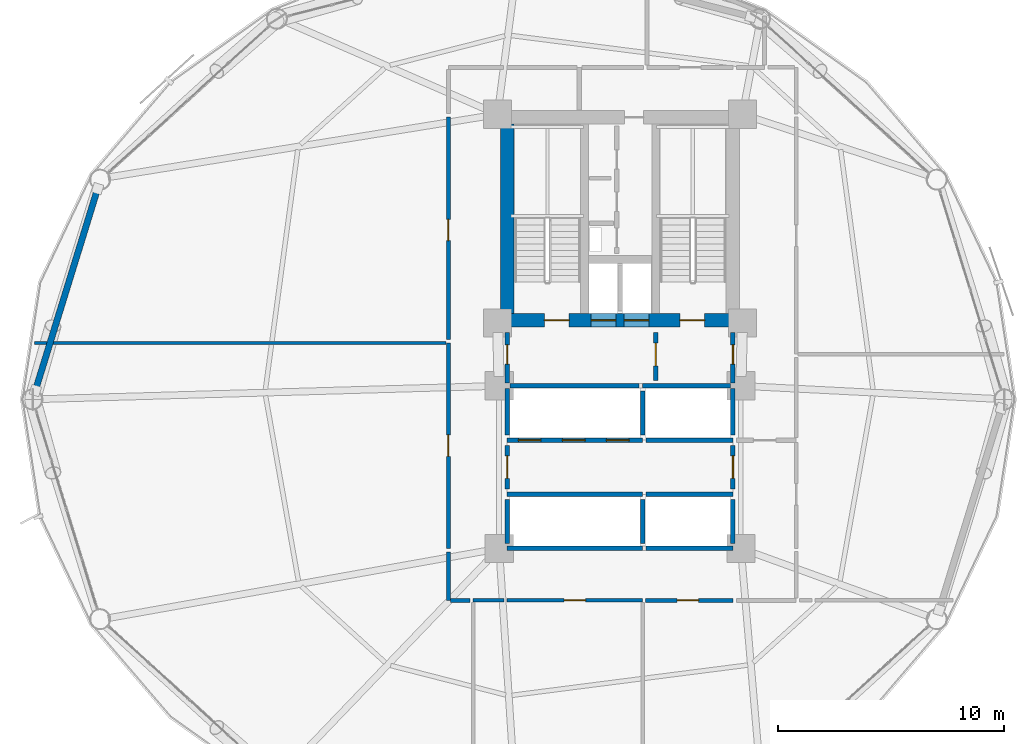
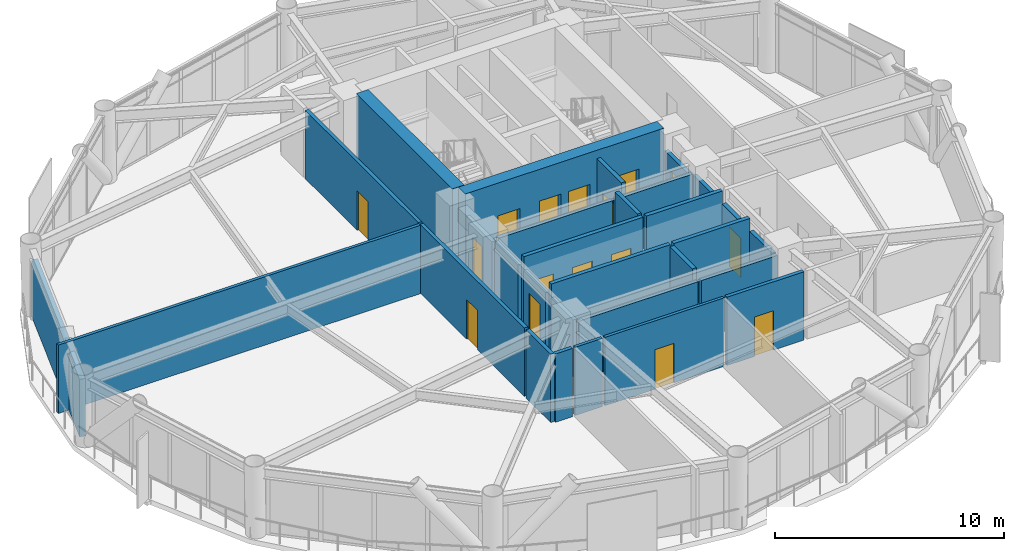
# One storey, part 20 of 25: 30 walls, 16 doors, 16 openings.
"""IFC4 building model written with IfcOpenShell, lengths in metres."""

from ifc_helpers import new_model, si_unit, direction, frame, frame_2d, origin, place, context, subcontext, project, spatial, rectangle, extrude, material, layer, layer_set, type_object, element, fill, save


model = new_model("IFC4")

# Units and contexts
model_context = context("Model", 3, precision=1e-05, world=origin(), true_north=direction((0.0, 1.0)))
body_context = subcontext(model_context, "Body", "Model", "MODEL_VIEW")
ifc_project = project(units=[si_unit("LENGTHUNIT", "METRE"), si_unit("AREAUNIT", "SQUARE_METRE"), si_unit("VOLUMEUNIT", "CUBIC_METRE"), si_unit("PLANEANGLEUNIT", "RADIAN"), si_unit("MASSUNIT", "GRAM", prefix="KILO")], contexts=[model_context])

# Site, building, storey
site_placement = place(None, origin())
site = spatial("IfcSite", under=ifc_project, at=site_placement, CompositionType="ELEMENT")
building_placement = place(site_placement, origin())
building = spatial("IfcBuilding", under=site, at=building_placement, Name="Varnakorn Sky Granary", CompositionType="ELEMENT")
storey_placement = place(building_placement, frame((0.0, 0.0, 62.699951171875)))
storey = spatial("IfcBuildingStorey", under=building, at=storey_placement, Name="L15", CompositionType="ELEMENT", Elevation=62.699951171875)

# Wall, openings, doors
ifc_material_1 = material(Name="Concrete C60/75", Category="concrete")
ifc_layer_1 = layer(ifc_material_1, 0.60009765625, Name="Concrete C60/75")
ifc_layer_set_1 = layer_set([ifc_layer_1], Name="Concrete C60/75")
wall_type_1 = type_object("IfcWallType", Name="WT-CW-SHEAR-600", PredefinedType="SHEAR", material=ifc_layer_set_1)
wall_1_placement = place(storey_placement, frame((-2.0, 3.5, 0.0), z_axis=(0.0, 0.0, 1.0), x_axis=(1.0, 0.0, 0.0)))
wall_1 = element("IfcWall", 1, at=wall_1_placement, inside=storey, type_object=wall_type_1, Name="Core South Shear Wall L15", PredefinedType="SHEAR", context=body_context, shape_type="SweptSolid", body=[
    extrude(rectangle(XDim=10.0, YDim=0.60009765625, at=frame_2d((5.0, 0.0))), origin(), (0.0, 0.0, 1.0), 3.89208984375),
])
opening_1_placement = place(wall_1_placement, frame((1.64990234375, 0.0, 0.0)))
opening_1 = element("IfcOpeningElement", 2, at=opening_1_placement, cuts=wall_1, Name="Opening FD-90", PredefinedType="OPENING", context=body_context, shape_type="SweptSolid", body=[
    extrude(rectangle(XDim=1.10009765625, YDim=2.14990234375, at=frame_2d((0.550048828125, 1.074951171875))), frame((0.0, 0.31005859375, 0.0), z_axis=(0.0, -1.0, 0.0), x_axis=(1.0, 0.0, 0.0)), (0.0, 0.0, 1.0), 0.6201171875),
])
opening_2_placement = place(wall_1_placement, frame((7.64990234375, 0.0, 0.0)))
opening_2 = element("IfcOpeningElement", 3, at=opening_2_placement, cuts=wall_1, Name="Opening FD-90", PredefinedType="OPENING", context=body_context, shape_type="SweptSolid", body=[
    extrude(rectangle(XDim=1.10009765625, YDim=2.14990234375, at=frame_2d((0.550048828125, 1.074951171875))), frame((0.0, 0.31005859375, 0.0), z_axis=(0.0, -1.0, 0.0), x_axis=(1.0, 0.0, 0.0)), (0.0, 0.0, 1.0), 0.6201171875),
])
opening_3_placement = place(wall_1_placement, frame((3.719970703125, 0.0, 0.0)))
opening_3 = element("IfcOpeningElement", 4, at=opening_3_placement, cuts=wall_1, Name="Opening LD-01", PredefinedType="OPENING", context=body_context, shape_type="SweptSolid", body=[
    extrude(rectangle(XDim=1.10009765625, YDim=2.199951171875, at=frame_2d((0.550048828125, 1.10009765625))), frame((0.0, 0.31005859375, 0.0), z_axis=(0.0, -1.0, 0.0), x_axis=(1.0, 0.0, 0.0)), (0.0, 0.0, 1.0), 0.6201171875),
])
opening_4_placement = place(wall_1_placement, frame((5.179931640625, 0.0, 0.0)))
opening_4 = element("IfcOpeningElement", 5, at=opening_4_placement, cuts=wall_1, Name="Opening LD-01", PredefinedType="OPENING", context=body_context, shape_type="SweptSolid", body=[
    extrude(rectangle(XDim=1.10009765625, YDim=2.199951171875, at=frame_2d((0.550048828125, 1.10009765625))), frame((0.0, 0.31005859375, 0.0), z_axis=(0.0, -1.0, 0.0), x_axis=(1.0, 0.0, 0.0)), (0.0, 0.0, 1.0), 0.6201171875),
])
ifc_material_2 = material(Name="Brushed Bronze Stainless Steel", Category="steel")
door_type_1 = type_object("IfcDoorType", Name="DR-LD-1100", OperationType="DOUBLE_DOOR_SLIDING", PredefinedType="DOOR", material=ifc_material_2)
door_1_placement = place(opening_3_placement, origin())
door_1 = element("IfcDoor", 6, at=door_1_placement, inside=storey, type_object=door_type_1, Name="Firefighting Lift FFL-1 Landing Door L15", OperationType="DOUBLE_DOOR_SLIDING", OverallHeight=2.199951171875, OverallWidth=1.10009765625, PredefinedType="DOOR", context=body_context, shape_type="SweptSolid", body=[
    extrude(rectangle(XDim=1.10009765625, YDim=2.199951171875, at=frame_2d((0.550048828125, 1.10009765625))), frame((0.0, 0.02490234375, 0.0), z_axis=(0.0, -1.0, 0.0), x_axis=(1.0, 0.0, 0.0)), (0.0, 0.0, 1.0), 0.050048828125),
])
fill(opening_3, door_1)
door_2_placement = place(opening_4_placement, origin())
door_2 = element("IfcDoor", 7, at=door_2_placement, inside=storey, type_object=door_type_1, Name="Firefighting Lift FFL-2 Landing Door L15", OperationType="DOUBLE_DOOR_SLIDING", OverallHeight=2.199951171875, OverallWidth=1.10009765625, PredefinedType="DOOR", context=body_context, shape_type="SweptSolid", body=[
    extrude(rectangle(XDim=1.10009765625, YDim=2.199951171875, at=frame_2d((0.550048828125, 1.10009765625))), frame((0.0, 0.02490234375, 0.0), z_axis=(0.0, -1.0, 0.0), x_axis=(1.0, 0.0, 0.0)), (0.0, 0.0, 1.0), 0.050048828125),
])
fill(opening_4, door_2)
ifc_material_3 = material(Name="Galvanised Painted Steel Leaf", Category="steel")
door_type_2 = type_object("IfcDoorType", Name="DR-STAIR-1100", OperationType="NOTDEFINED", PredefinedType="DOOR", material=ifc_material_3)
door_3_placement = place(opening_1_placement, origin())
door_3 = element("IfcDoor", 8, at=door_3_placement, inside=storey, type_object=door_type_2, Name="Stair ST-1 Protected Fire Door L15", OperationType="SINGLE_SWING_LEFT", OverallHeight=2.14990234375, OverallWidth=1.10009765625, PredefinedType="DOOR", context=body_context, shape_type="SweptSolid", body=[
    extrude(rectangle(XDim=1.10009765625, YDim=2.14990234375, at=frame_2d((0.550048828125, 1.074951171875))), frame((0.0, 0.02490234375, 0.0), z_axis=(0.0, -1.0, 0.0), x_axis=(1.0, 0.0, 0.0)), (0.0, 0.0, 1.0), 0.050048828125),
])
fill(opening_1, door_3)
door_4_placement = place(opening_2_placement, origin())
door_4 = element("IfcDoor", 9, at=door_4_placement, inside=storey, type_object=door_type_2, Name="Stair ST-2 Protected Fire Door L15", OperationType="SINGLE_SWING_RIGHT", OverallHeight=2.14990234375, OverallWidth=1.10009765625, PredefinedType="DOOR", context=body_context, shape_type="SweptSolid", body=[
    extrude(rectangle(XDim=1.10009765625, YDim=2.14990234375, at=frame_2d((0.550048828125, 1.074951171875))), frame((0.0, 0.02490234375, 0.0), z_axis=(0.0, -1.0, 0.0), x_axis=(1.0, 0.0, 0.0)), (0.0, 0.0, 1.0), 0.050048828125),
])
fill(opening_2, door_4)

# Walls
wall_2_placement = place(storey_placement, frame((-2.0, 3.81005859375, 0.0), z_axis=(0.0, 0.0, 1.0), x_axis=(0.0, 1.0, 0.0)))
element("IfcWall", 10, at=wall_2_placement, inside=storey, type_object=wall_type_1, Name="Core West Shear Wall L15", PredefinedType="SHEAR", context=body_context, shape_type="SweptSolid", body=[
    extrude(rectangle(XDim=8.3798828125, YDim=0.60009765625, at=frame_2d((4.18994140625, 0.0))), origin(), (0.0, 0.0, 1.0), 3.89208984375),
])
ifc_material_4 = material(Name="Precast concrete C40/50", Category="concrete")
ifc_layer_2 = layer(ifc_material_4, 0.280029296875, Name="Precast concrete C40/50")
ifc_layer_set_2 = layer_set([ifc_layer_2], Name="Precast concrete C40/50")
wall_type_2 = type_object("IfcWallType", Name="WT-EW-CRN-280", PredefinedType="SOLIDWALL", material=ifc_layer_set_2)
wall_3_placement = place(storey_placement, frame((-22.884521484375, 0.393798828125, 0.0), z_axis=(0.0, 0.0, 1.0), x_axis=(0.294639825204, 0.95560837868, 0.0)))
element("IfcWall", 11, at=wall_3_placement, inside=storey, type_object=wall_type_2, Name="Agritech Insulated Precast Facade Wall L15-P06", PredefinedType="SOLIDWALL", context=body_context, shape_type="SweptSolid", body=[
    extrude(rectangle(XDim=9.3515625, YDim=0.280029296875, at=frame_2d((4.67578125, 0.0))), origin(), (0.0, 0.0, 1.0), 3.06005859375),
])

# Wall, opening, door
ifc_material_5 = material(Name="Autoclaved Aerated Concrete Blockwork", Category="masonry")
ifc_layer_3 = layer(ifc_material_5, 0.199951171875, Name="Autoclaved Aerated Concrete Blockwork")
ifc_layer_set_3 = layer_set([ifc_layer_3], Name="Autoclaved Aerated Concrete Blockwork")
wall_type_3 = type_object("IfcWallType", Name="WT-FIRE-200", PredefinedType="MOVABLE", material=ifc_layer_set_3)
wall_4_placement = place(storey_placement, frame((4.580078125, 0.830078125, 0.0), z_axis=(0.0, 0.0, 1.0), x_axis=(0.0, 1.0, 0.0)))
wall_4 = element("IfcWall", 12, at=wall_4_placement, inside=storey, type_object=wall_type_3, Name="Interior Partition Wall L15-017", PredefinedType="MOVABLE", context=body_context, shape_type="SweptSolid", body=[
    extrude(rectangle(XDim=2.139892578125, YDim=0.199951171875, at=frame_2d((1.06982421875, 0.0))), origin(), (0.0, 0.0, 1.0), 3.64013671875),
])
opening_5_placement = place(wall_4_placement, frame((0.659912109375, 0.0, 0.0)))
opening_5 = element("IfcOpeningElement", 13, at=opening_5_placement, cuts=wall_4, Name="Opening FD-60", PredefinedType="OPENING", context=body_context, shape_type="SweptSolid", body=[
    extrude(rectangle(XDim=1.0, YDim=2.10009765625, at=frame_2d((0.5, 1.050048828125))), frame((0.0, 0.10986328125, 0.0), z_axis=(0.0, -1.0, 0.0), x_axis=(1.0, 0.0, 0.0)), (0.0, 0.0, 1.0), 0.219970703125),
])
ifc_material_6 = material(Name="Acoustic Timber Fire Leaf", Category="wood")
door_type_3 = type_object("IfcDoorType", Name="DR-FD60-1000", OperationType="NOTDEFINED", PredefinedType="DOOR", material=ifc_material_6)
door_5_placement = place(opening_5_placement, origin())
door_5 = element("IfcDoor", 14, at=door_5_placement, inside=storey, type_object=door_type_3, Name="Interior Door L15-017-1", OperationType="SINGLE_SWING_LEFT", OverallHeight=2.10009765625, OverallWidth=1.0, PredefinedType="DOOR", context=body_context, shape_type="SweptSolid", body=[
    extrude(rectangle(XDim=1.0, YDim=2.10009765625, at=frame_2d((0.5, 1.050048828125))), frame((0.0, 0.02490234375, 0.0), z_axis=(0.0, -1.0, 0.0), x_axis=(1.0, 0.0, 0.0)), (0.0, 0.0, 1.0), 0.050048828125),
])
fill(opening_5, door_5)

wall_5_placement = place(storey_placement, frame((-2.0, 0.719970703125, 0.0), z_axis=(0.0, 0.0, 1.0), x_axis=(0.0, 1.0, 0.0)))
wall_5 = element("IfcWall", 15, at=wall_5_placement, inside=storey, type_object=wall_type_3, Name="Interior Partition Wall L15-018", PredefinedType="MOVABLE", context=body_context, shape_type="SweptSolid", body=[
    extrude(rectangle(XDim=2.25, YDim=0.199951171875, at=frame_2d((1.125, 0.0))), origin(), (0.0, 0.0, 1.0), 2.8720703125),
])
opening_6_placement = place(wall_5_placement, frame((0.844970703125, 0.0, 0.0)))
opening_6 = element("IfcOpeningElement", 16, at=opening_6_placement, cuts=wall_5, Name="Opening FD-60N", PredefinedType="OPENING", context=body_context, shape_type="SweptSolid", body=[
    extrude(rectangle(XDim=0.85009765625, YDim=2.10009765625, at=frame_2d((0.425048828125, 1.050048828125))), frame((0.0, 0.10986328125, 0.0), z_axis=(0.0, -1.0, 0.0), x_axis=(1.0, 0.0, 0.0)), (0.0, 0.0, 1.0), 0.219970703125),
])
door_type_4 = type_object("IfcDoorType", Name="DR-FD60-850", OperationType="NOTDEFINED", PredefinedType="DOOR", material=ifc_material_6)
door_6_placement = place(opening_6_placement, origin())
door_6 = element("IfcDoor", 17, at=door_6_placement, inside=storey, type_object=door_type_4, Name="Interior Door L15-018-1", OperationType="SINGLE_SWING_RIGHT", OverallHeight=2.10009765625, OverallWidth=0.85009765625, PredefinedType="DOOR", context=body_context, shape_type="SweptSolid", body=[
    extrude(rectangle(XDim=0.85009765625, YDim=2.10009765625, at=frame_2d((0.425048828125, 1.050048828125))), frame((0.0, 0.02490234375, 0.0), z_axis=(0.0, -1.0, 0.0), x_axis=(1.0, 0.0, 0.0)), (0.0, 0.0, 1.0), 0.050048828125),
])
fill(opening_6, door_6)

wall_6_placement = place(storey_placement, frame((8.0, 0.719970703125, 0.0), z_axis=(0.0, 0.0, 1.0), x_axis=(0.0, 1.0, 0.0)))
wall_6 = element("IfcWall", 18, at=wall_6_placement, inside=storey, type_object=wall_type_3, Name="Interior Partition Wall L15-019", PredefinedType="MOVABLE", context=body_context, shape_type="SweptSolid", body=[
    extrude(rectangle(XDim=2.25, YDim=0.199951171875, at=frame_2d((1.125, 0.0))), origin(), (0.0, 0.0, 1.0), 2.8720703125),
])
opening_7_placement = place(wall_6_placement, frame((0.844970703125, 0.0, 0.0)))
opening_7 = element("IfcOpeningElement", 19, at=opening_7_placement, cuts=wall_6, Name="Opening FD-60N", PredefinedType="OPENING", context=body_context, shape_type="SweptSolid", body=[
    extrude(rectangle(XDim=0.85009765625, YDim=2.10009765625, at=frame_2d((0.425048828125, 1.050048828125))), frame((0.0, 0.10986328125, 0.0), z_axis=(0.0, -1.0, 0.0), x_axis=(1.0, 0.0, 0.0)), (0.0, 0.0, 1.0), 0.219970703125),
])
door_7_placement = place(opening_7_placement, origin())
door_7 = element("IfcDoor", 20, at=door_7_placement, inside=storey, type_object=door_type_4, Name="Interior Door L15-019-1", OperationType="SINGLE_SWING_LEFT", OverallHeight=2.10009765625, OverallWidth=0.85009765625, PredefinedType="DOOR", context=body_context, shape_type="SweptSolid", body=[
    extrude(rectangle(XDim=0.85009765625, YDim=2.10009765625, at=frame_2d((0.425048828125, 1.050048828125))), frame((0.0, 0.02490234375, 0.0), z_axis=(0.0, -1.0, 0.0), x_axis=(1.0, 0.0, 0.0)), (0.0, 0.0, 1.0), 0.050048828125),
])
fill(opening_7, door_7)

wall_7_placement = place(storey_placement, frame((-2.0, -3.969970703125, 0.0), z_axis=(0.0, 0.0, 1.0), x_axis=(0.0, 1.0, 0.0)))
wall_7 = element("IfcWall", 21, at=wall_7_placement, inside=storey, type_object=wall_type_3, Name="Interior Partition Wall L15-020", PredefinedType="MOVABLE", context=body_context, shape_type="SweptSolid", body=[
    extrude(rectangle(XDim=1.93994140625, YDim=0.199951171875, at=frame_2d((0.969970703125, 0.0))), origin(), (0.0, 0.0, 1.0), 3.02197265625),
])
opening_8_placement = place(wall_7_placement, frame((0.469970703125, 0.0, 0.0)))
opening_8 = element("IfcOpeningElement", 22, at=opening_8_placement, cuts=wall_7, Name="Opening FD-60", PredefinedType="OPENING", context=body_context, shape_type="SweptSolid", body=[
    extrude(rectangle(XDim=1.0, YDim=2.10009765625, at=frame_2d((0.5, 1.050048828125))), frame((0.0, 0.10986328125, 0.0), z_axis=(0.0, -1.0, 0.0), x_axis=(1.0, 0.0, 0.0)), (0.0, 0.0, 1.0), 0.219970703125),
])
door_8_placement = place(opening_8_placement, origin())
door_8 = element("IfcDoor", 23, at=door_8_placement, inside=storey, type_object=door_type_3, Name="Interior Door L15-020-1", OperationType="SINGLE_SWING_RIGHT", OverallHeight=2.10009765625, OverallWidth=1.0, PredefinedType="DOOR", context=body_context, shape_type="SweptSolid", body=[
    extrude(rectangle(XDim=1.0, YDim=2.10009765625, at=frame_2d((0.5, 1.050048828125))), frame((0.0, 0.02490234375, 0.0), z_axis=(0.0, -1.0, 0.0), x_axis=(1.0, 0.0, 0.0)), (0.0, 0.0, 1.0), 0.050048828125),
])
fill(opening_8, door_8)

wall_8_placement = place(storey_placement, frame((8.0, -3.969970703125, 0.0), z_axis=(0.0, 0.0, 1.0), x_axis=(0.0, 1.0, 0.0)))
wall_8 = element("IfcWall", 24, at=wall_8_placement, inside=storey, type_object=wall_type_3, Name="Interior Partition Wall L15-021", PredefinedType="MOVABLE", context=body_context, shape_type="SweptSolid", body=[
    extrude(rectangle(XDim=1.93994140625, YDim=0.199951171875, at=frame_2d((0.969970703125, 0.0))), origin(), (0.0, 0.0, 1.0), 3.072021484375),
])
opening_9_placement = place(wall_8_placement, frame((0.469970703125, 0.0, 0.0)))
opening_9 = element("IfcOpeningElement", 25, at=opening_9_placement, cuts=wall_8, Name="Opening FD-60", PredefinedType="OPENING", context=body_context, shape_type="SweptSolid", body=[
    extrude(rectangle(XDim=1.0, YDim=2.10009765625, at=frame_2d((0.5, 1.050048828125))), frame((0.0, 0.10986328125, 0.0), z_axis=(0.0, -1.0, 0.0), x_axis=(1.0, 0.0, 0.0)), (0.0, 0.0, 1.0), 0.219970703125),
])
door_9_placement = place(opening_9_placement, origin())
door_9 = element("IfcDoor", 26, at=door_9_placement, inside=storey, type_object=door_type_3, Name="Interior Door L15-021-1", OperationType="SINGLE_SWING_LEFT", OverallHeight=2.10009765625, OverallWidth=1.0, PredefinedType="DOOR", context=body_context, shape_type="SweptSolid", body=[
    extrude(rectangle(XDim=1.0, YDim=2.10009765625, at=frame_2d((0.5, 1.050048828125))), frame((0.0, 0.02490234375, 0.0), z_axis=(0.0, -1.0, 0.0), x_axis=(1.0, 0.0, 0.0)), (0.0, 0.0, 1.0), 0.050048828125),
])
fill(opening_9, door_9)

# Wall
wall_9_placement = place(storey_placement, frame((-1.8798828125, 0.60009765625, 0.0), z_axis=(0.0, 0.0, 1.0), x_axis=(1.0, 0.0, 0.0)))
element("IfcWall", 27, at=wall_9_placement, inside=storey, type_object=wall_type_3, Name="Interior Partition Wall L15-031", PredefinedType="MOVABLE", context=body_context, shape_type="SweptSolid", body=[
    extrude(rectangle(XDim=5.719970703125, YDim=0.199951171875, at=frame_2d((2.85986328125, 0.0))), origin(), (0.0, 0.0, 1.0), 3.1220703125),
])

# Wall, opening, door
ifc_material_7 = material(Name="Gypsum Plasterboard on Steel Stud", Category="steel")
ifc_layer_4 = layer(ifc_material_7, 0.14990234375, Name="Gypsum Plasterboard on Steel Stud")
ifc_layer_set_4 = layer_set([ifc_layer_4], Name="Gypsum Plasterboard on Steel Stud")
wall_type_4 = type_object("IfcWallType", Name="WT-PART-150", PredefinedType="PARTITIONING", material=ifc_layer_set_4)
wall_10_placement = place(storey_placement, frame((-2.0, -8.89990234375, 0.0), z_axis=(0.0, 0.0, 1.0), x_axis=(1.0, 0.0, 0.0)))
wall_10 = element("IfcWall", 28, at=wall_10_placement, inside=storey, type_object=wall_type_4, Name="Interior Partition Wall L15-024", PredefinedType="PARTITIONING", context=body_context, shape_type="SweptSolid", body=[
    extrude(rectangle(XDim=6.0, YDim=0.14990234375, at=frame_2d((3.0, 0.0))), origin(), (0.0, 0.0, 1.0), 3.64013671875),
])
opening_10_placement = place(wall_10_placement, frame((2.52490234375, 0.0, 0.0)))
opening_10 = element("IfcOpeningElement", 29, at=opening_10_placement, cuts=wall_10, Name="Opening ID-95", PredefinedType="OPENING", context=body_context, shape_type="SweptSolid", body=[
    extrude(rectangle(XDim=0.949951171875, YDim=2.10009765625, at=frame_2d((0.47509765625, 1.050048828125))), frame((0.0, 0.0849609375, 0.0), z_axis=(0.0, -1.0, 0.0), x_axis=(1.0, 0.0, 0.0)), (0.0, 0.0, 1.0), 0.169921875),
])
ifc_material_8 = material(Name="Solid-Core Teak Veneer Leaf", Category="timber")
door_type_5 = type_object("IfcDoorType", Name="DR-INT-950", OperationType="NOTDEFINED", PredefinedType="DOOR", material=ifc_material_8)
door_10_placement = place(opening_10_placement, origin())
door_10 = element("IfcDoor", 30, at=door_10_placement, inside=storey, type_object=door_type_5, Name="Interior Door L15-024-1", OperationType="SINGLE_SWING_RIGHT", OverallHeight=2.10009765625, OverallWidth=0.949951171875, PredefinedType="DOOR", context=body_context, shape_type="SweptSolid", body=[
    extrude(rectangle(XDim=0.949951171875, YDim=2.10009765625, at=frame_2d((0.47509765625, 1.050048828125))), frame((0.0, 0.02490234375, 0.0), z_axis=(0.0, -1.0, 0.0), x_axis=(1.0, 0.0, 0.0)), (0.0, 0.0, 1.0), 0.050048828125),
])
fill(opening_10, door_10)

# Walls
wall_11_placement = place(storey_placement, frame((-3.5, -8.89990234375, 0.0), z_axis=(0.0, 0.0, 1.0), x_axis=(1.0, 0.0, 0.0)))
element("IfcWall", 31, at=wall_11_placement, inside=storey, type_object=wall_type_4, Name="Interior Partition Wall L15-034", PredefinedType="PARTITIONING", context=body_context, shape_type="SweptSolid", body=[
    extrude(rectangle(XDim=1.364990234375, YDim=0.14990234375, at=frame_2d((0.6826171875, 0.0))), origin(), (0.0, 0.0, 1.0), 3.64013671875),
])
wall_12_placement = place(storey_placement, frame((-22.93310546875, 2.5, 0.0), z_axis=(0.0, 0.0, 1.0), x_axis=(1.0, 0.0, 0.0)))
element("IfcWall", 32, at=wall_12_placement, inside=storey, type_object=wall_type_4, Name="Interior Partition Wall L15-042", PredefinedType="PARTITIONING", context=body_context, shape_type="SweptSolid", body=[
    extrude(rectangle(XDim=18.233154296875, YDim=0.14990234375, at=frame_2d((9.11669921875, 0.0))), origin(), (0.0, 0.0, 1.0), 3.64013671875),
])

# Wall, opening, door
ifc_material_9 = material(Name="Moisture-Resistant Gypsum on Stud", Category="gypsum")
ifc_layer_5 = layer(ifc_material_9, 0.179931640625, Name="Moisture-Resistant Gypsum on Stud")
ifc_layer_set_5 = layer_set([ifc_layer_5], Name="Moisture-Resistant Gypsum on Stud")
wall_type_5 = type_object("IfcWallType", Name="WT-PLUMB-180", PredefinedType="PLUMBINGWALL", material=ifc_layer_set_5)
wall_13_placement = place(storey_placement, frame((4.135009765625, -8.89990234375, 0.0), z_axis=(0.0, 0.0, 1.0), x_axis=(1.0, 0.0, 0.0)))
wall_13 = element("IfcWall", 33, at=wall_13_placement, inside=storey, type_object=wall_type_5, Name="Interior Partition Wall L15-025", PredefinedType="PLUMBINGWALL", context=body_context, shape_type="SweptSolid", body=[
    extrude(rectangle(XDim=3.864990234375, YDim=0.179931640625, at=frame_2d((1.9326171875, 0.0))), origin(), (0.0, 0.0, 1.0), 3.64013671875),
])
opening_11_placement = place(wall_13_placement, frame((1.389892578125, 0.0, 0.0)))
opening_11 = element("IfcOpeningElement", 34, at=opening_11_placement, cuts=wall_13, Name="Opening ID-95", PredefinedType="OPENING", context=body_context, shape_type="SweptSolid", body=[
    extrude(rectangle(XDim=0.949951171875, YDim=2.10009765625, at=frame_2d((0.47509765625, 1.050048828125))), frame((0.0, 0.10009765625, 0.0), z_axis=(0.0, -1.0, 0.0), x_axis=(1.0, 0.0, 0.0)), (0.0, 0.0, 1.0), 0.199951171875),
])
door_11_placement = place(opening_11_placement, origin())
door_11 = element("IfcDoor", 35, at=door_11_placement, inside=storey, type_object=door_type_5, Name="Interior Door L15-025-1", OperationType="SINGLE_SWING_LEFT", OverallHeight=2.10009765625, OverallWidth=0.949951171875, PredefinedType="DOOR", context=body_context, shape_type="SweptSolid", body=[
    extrude(rectangle(XDim=0.949951171875, YDim=2.10009765625, at=frame_2d((0.47509765625, 1.050048828125))), frame((0.0, 0.02490234375, 0.0), z_axis=(0.0, -1.0, 0.0), x_axis=(1.0, 0.0, 0.0)), (0.0, 0.0, 1.0), 0.050048828125),
])
fill(opening_11, door_11)

wall_14_placement = place(storey_placement, frame((-4.60009765625, 2.5, 0.0), z_axis=(0.0, 0.0, 1.0), x_axis=(0.0, -1.0, 0.0)))
wall_14 = element("IfcWall", 36, at=wall_14_placement, inside=storey, type_object=wall_type_5, Name="Interior Partition Wall L15-026", PredefinedType="PLUMBINGWALL", context=body_context, shape_type="SweptSolid", body=[
    extrude(rectangle(XDim=9.10009765625, YDim=0.179931640625, at=frame_2d((4.550048828125, 0.0))), origin(), (0.0, 0.0, 1.0), 3.64013671875),
])
opening_12_placement = place(wall_14_placement, frame((4.074951171875, 0.0, 0.0)))
opening_12 = element("IfcOpeningElement", 37, at=opening_12_placement, cuts=wall_14, Name="Opening ID-95", PredefinedType="OPENING", context=body_context, shape_type="SweptSolid", body=[
    extrude(rectangle(XDim=0.949951171875, YDim=2.10009765625, at=frame_2d((0.47509765625, 1.050048828125))), frame((0.0, 0.10009765625, 0.0), z_axis=(0.0, -1.0, 0.0), x_axis=(1.0, 0.0, 0.0)), (0.0, 0.0, 1.0), 0.199951171875),
])
door_12_placement = place(opening_12_placement, origin())
door_12 = element("IfcDoor", 38, at=door_12_placement, inside=storey, type_object=door_type_5, Name="Interior Door L15-026-1", OperationType="SINGLE_SWING_RIGHT", OverallHeight=2.10009765625, OverallWidth=0.949951171875, PredefinedType="DOOR", context=body_context, shape_type="SweptSolid", body=[
    extrude(rectangle(XDim=0.949951171875, YDim=2.10009765625, at=frame_2d((0.47509765625, 1.050048828125))), frame((0.0, 0.02490234375, 0.0), z_axis=(0.0, -1.0, 0.0), x_axis=(1.0, 0.0, 0.0)), (0.0, 0.0, 1.0), 0.050048828125),
])
fill(opening_12, door_12)

wall_15_placement = place(storey_placement, frame((-4.60009765625, 12.5, 0.0), z_axis=(0.0, 0.0, 1.0), x_axis=(0.0, -1.0, 0.0)))
wall_15 = element("IfcWall", 39, at=wall_15_placement, inside=storey, type_object=wall_type_5, Name="Interior Partition Wall L15-027", PredefinedType="PLUMBINGWALL", context=body_context, shape_type="SweptSolid", body=[
    extrude(rectangle(XDim=9.85009765625, YDim=0.179931640625, at=frame_2d((4.925048828125, 0.0))), origin(), (0.0, 0.0, 1.0), 3.64013671875),
])
opening_13_placement = place(wall_15_placement, frame((4.52490234375, 0.0, 0.0)))
opening_13 = element("IfcOpeningElement", 40, at=opening_13_placement, cuts=wall_15, Name="Opening ID-95", PredefinedType="OPENING", context=body_context, shape_type="SweptSolid", body=[
    extrude(rectangle(XDim=0.949951171875, YDim=2.10009765625, at=frame_2d((0.47509765625, 1.050048828125))), frame((0.0, 0.10009765625, 0.0), z_axis=(0.0, -1.0, 0.0), x_axis=(1.0, 0.0, 0.0)), (0.0, 0.0, 1.0), 0.199951171875),
])
door_13_placement = place(opening_13_placement, origin())
door_13 = element("IfcDoor", 41, at=door_13_placement, inside=storey, type_object=door_type_5, Name="Interior Door L15-027-1", OperationType="SINGLE_SWING_LEFT", OverallHeight=2.10009765625, OverallWidth=0.949951171875, PredefinedType="DOOR", context=body_context, shape_type="SweptSolid", body=[
    extrude(rectangle(XDim=0.949951171875, YDim=2.10009765625, at=frame_2d((0.47509765625, 1.050048828125))), frame((0.0, 0.02490234375, 0.0), z_axis=(0.0, -1.0, 0.0), x_axis=(1.0, 0.0, 0.0)), (0.0, 0.0, 1.0), 0.050048828125),
])
fill(opening_13, door_13)

# Walls
wall_16_placement = place(storey_placement, frame((-4.60009765625, -6.75, 0.0), z_axis=(0.0, 0.0, 1.0), x_axis=(0.0, -1.0, 0.0)))
element("IfcWall", 42, at=wall_16_placement, inside=storey, type_object=wall_type_5, Name="Interior Partition Wall L15-040", PredefinedType="PLUMBINGWALL", context=body_context, shape_type="SweptSolid", body=[
    extrude(rectangle(XDim=2.14990234375, YDim=0.179931640625, at=frame_2d((1.074951171875, 0.0))), origin(), (0.0, 0.0, 1.0), 3.64013671875),
])
wall_17_placement = place(storey_placement, frame((-4.5, -8.89990234375, 0.0), z_axis=(0.0, 0.0, 1.0), x_axis=(1.0, 0.0, 0.0)))
element("IfcWall", 43, at=wall_17_placement, inside=storey, type_object=wall_type_5, Name="Interior Partition Wall L15-041", PredefinedType="PLUMBINGWALL", context=body_context, shape_type="SweptSolid", body=[
    extrude(rectangle(XDim=0.864990234375, YDim=0.179931640625, at=frame_2d((0.4326171875, 0.0))), origin(), (0.0, 0.0, 1.0), 3.64013671875),
])
ifc_layer_6 = layer(ifc_material_5, 0.199951171875, Name="Autoclaved Aerated Concrete Blockwork")
ifc_layer_set_6 = layer_set([ifc_layer_6], Name="Autoclaved Aerated Concrete Blockwork")
wall_type_6 = type_object("IfcWallType", Name="WT-SHAFT-200", PredefinedType="SOLIDWALL", material=ifc_layer_set_6)
wall_18_placement = place(storey_placement, frame((4.0, 0.60009765625, 0.0), z_axis=(0.0, 0.0, 1.0), x_axis=(1.0, 0.0, 0.0)))
element("IfcWall", 44, at=wall_18_placement, inside=storey, type_object=wall_type_6, Name="Interior Partition Wall L15-003", PredefinedType="SOLIDWALL", context=body_context, shape_type="SweptSolid", body=[
    extrude(rectangle(XDim=3.8798828125, YDim=0.199951171875, at=frame_2d((1.93994140625, 0.0))), origin(), (0.0, 0.0, 1.0), 3.1220703125),
])

# Wall, openings, doors
wall_19_placement = place(storey_placement, frame((-2.0, -1.800048828125, 0.0), z_axis=(0.0, 0.0, 1.0), x_axis=(1.0, 0.0, 0.0)))
wall_19 = element("IfcWall", 45, at=wall_19_placement, inside=storey, type_object=wall_type_6, Name="Interior Partition Wall L15-004", PredefinedType="SOLIDWALL", context=body_context, shape_type="SweptSolid", body=[
    extrude(rectangle(XDim=6.0, YDim=0.199951171875, at=frame_2d((3.0, 0.0))), origin(), (0.0, 0.0, 1.0), 3.64013671875),
])
opening_14_placement = place(wall_19_placement, frame((0.5, 0.0, 0.0)))
opening_14 = element("IfcOpeningElement", 46, at=opening_14_placement, cuts=wall_19, Name="Opening LD-03", PredefinedType="OPENING", context=body_context, shape_type="SweptSolid", body=[
    extrude(rectangle(XDim=1.0, YDim=2.199951171875, at=frame_2d((0.5, 1.10009765625))), frame((0.0, 0.10986328125, 0.0), z_axis=(0.0, -1.0, 0.0), x_axis=(1.0, 0.0, 0.0)), (0.0, 0.0, 1.0), 0.219970703125),
])
opening_15_placement = place(wall_19_placement, frame((2.449951171875, 0.0, 0.0)))
opening_15 = element("IfcOpeningElement", 47, at=opening_15_placement, cuts=wall_19, Name="Opening LD-03", PredefinedType="OPENING", context=body_context, shape_type="SweptSolid", body=[
    extrude(rectangle(XDim=1.0, YDim=2.199951171875, at=frame_2d((0.5, 1.10009765625))), frame((0.0, 0.10986328125, 0.0), z_axis=(0.0, -1.0, 0.0), x_axis=(1.0, 0.0, 0.0)), (0.0, 0.0, 1.0), 0.219970703125),
])
opening_16_placement = place(wall_19_placement, frame((4.39990234375, 0.0, 0.0)))
opening_16 = element("IfcOpeningElement", 48, at=opening_16_placement, cuts=wall_19, Name="Opening LD-03", PredefinedType="OPENING", context=body_context, shape_type="SweptSolid", body=[
    extrude(rectangle(XDim=1.0, YDim=2.199951171875, at=frame_2d((0.5, 1.10009765625))), frame((0.0, 0.10986328125, 0.0), z_axis=(0.0, -1.0, 0.0), x_axis=(1.0, 0.0, 0.0)), (0.0, 0.0, 1.0), 0.219970703125),
])
door_type_6 = type_object("IfcDoorType", Name="DR-LD-1000", OperationType="DOUBLE_DOOR_SLIDING", PredefinedType="DOOR", material=ifc_material_2)
door_14_placement = place(opening_14_placement, origin())
door_14 = element("IfcDoor", 49, at=door_14_placement, inside=storey, type_object=door_type_6, Name="Passenger Lift PL-L1 Sliding Landing Door L15", OperationType="DOUBLE_DOOR_SLIDING", OverallHeight=2.199951171875, OverallWidth=1.0, PredefinedType="DOOR", context=body_context, shape_type="SweptSolid", body=[
    extrude(rectangle(XDim=1.0, YDim=2.199951171875, at=frame_2d((0.5, 1.10009765625))), frame((0.0, 0.02490234375, 0.0), z_axis=(0.0, -1.0, 0.0), x_axis=(1.0, 0.0, 0.0)), (0.0, 0.0, 1.0), 0.050048828125),
])
fill(opening_14, door_14)
door_15_placement = place(opening_15_placement, origin())
door_15 = element("IfcDoor", 50, at=door_15_placement, inside=storey, type_object=door_type_6, Name="Passenger Lift PL-L2 Sliding Landing Door L15", OperationType="DOUBLE_DOOR_SLIDING", OverallHeight=2.199951171875, OverallWidth=1.0, PredefinedType="DOOR", context=body_context, shape_type="SweptSolid", body=[
    extrude(rectangle(XDim=1.0, YDim=2.199951171875, at=frame_2d((0.5, 1.10009765625))), frame((0.0, 0.02490234375, 0.0), z_axis=(0.0, -1.0, 0.0), x_axis=(1.0, 0.0, 0.0)), (0.0, 0.0, 1.0), 0.050048828125),
])
fill(opening_15, door_15)
door_16_placement = place(opening_16_placement, origin())
door_16 = element("IfcDoor", 51, at=door_16_placement, inside=storey, type_object=door_type_6, Name="Passenger Lift PL-L3 Sliding Landing Door L15", OperationType="DOUBLE_DOOR_SLIDING", OverallHeight=2.199951171875, OverallWidth=1.0, PredefinedType="DOOR", context=body_context, shape_type="SweptSolid", body=[
    extrude(rectangle(XDim=1.0, YDim=2.199951171875, at=frame_2d((0.5, 1.10009765625))), frame((0.0, 0.02490234375, 0.0), z_axis=(0.0, -1.0, 0.0), x_axis=(1.0, 0.0, 0.0)), (0.0, 0.0, 1.0), 0.050048828125),
])
fill(opening_16, door_16)

# Walls
wall_20_placement = place(storey_placement, frame((-2.0, -1.570068359375, 0.0), z_axis=(0.0, 0.0, 1.0), x_axis=(0.0, 1.0, 0.0)))
element("IfcWall", 52, at=wall_20_placement, inside=storey, type_object=wall_type_6, Name="Interior Partition Wall L15-005", PredefinedType="SOLIDWALL", context=body_context, shape_type="SweptSolid", body=[
    extrude(rectangle(XDim=2.050048828125, YDim=0.199951171875, at=frame_2d((1.02490234375, 0.0))), origin(), (0.0, 0.0, 1.0), 3.02197265625),
])
wall_21_placement = place(storey_placement, frame((4.159912109375, -1.800048828125, 0.0), z_axis=(0.0, 0.0, 1.0), x_axis=(1.0, 0.0, 0.0)))
element("IfcWall", 53, at=wall_21_placement, inside=storey, type_object=wall_type_6, Name="Interior Partition Wall L15-006", PredefinedType="SOLIDWALL", context=body_context, shape_type="SweptSolid", body=[
    extrude(rectangle(XDim=3.840087890625, YDim=0.199951171875, at=frame_2d((1.919921875, 0.0))), origin(), (0.0, 0.0, 1.0), 3.64013671875),
])
wall_22_placement = place(storey_placement, frame((4.0, -1.570068359375, 0.0), z_axis=(0.0, 0.0, 1.0), x_axis=(0.0, 1.0, 0.0)))
element("IfcWall", 54, at=wall_22_placement, inside=storey, type_object=wall_type_6, Name="Interior Partition Wall L15-007", PredefinedType="SOLIDWALL", context=body_context, shape_type="SweptSolid", body=[
    extrude(rectangle(XDim=1.940185546875, YDim=0.199951171875, at=frame_2d((0.97021484375, 0.0))), origin(), (0.0, 0.0, 1.0), 3.64013671875),
])
wall_23_placement = place(storey_placement, frame((8.0, -1.570068359375, 0.0), z_axis=(0.0, 0.0, 1.0), x_axis=(0.0, 1.0, 0.0)))
element("IfcWall", 55, at=wall_23_placement, inside=storey, type_object=wall_type_6, Name="Interior Partition Wall L15-008", PredefinedType="SOLIDWALL", context=body_context, shape_type="SweptSolid", body=[
    extrude(rectangle(XDim=2.050048828125, YDim=0.199951171875, at=frame_2d((1.02490234375, 0.0))), origin(), (0.0, 0.0, 1.0), 3.072021484375),
])
wall_24_placement = place(storey_placement, frame((-2.0, -4.199951171875, 0.0), z_axis=(0.0, 0.0, 1.0), x_axis=(1.0, 0.0, 0.0)))
element("IfcWall", 56, at=wall_24_placement, inside=storey, type_object=wall_type_6, Name="Interior Partition Wall L15-009", PredefinedType="SOLIDWALL", context=body_context, shape_type="SweptSolid", body=[
    extrude(rectangle(XDim=6.0, YDim=0.199951171875, at=frame_2d((3.0, 0.0))), origin(), (0.0, 0.0, 1.0), 3.64013671875),
])
wall_25_placement = place(storey_placement, frame((-2.0, -6.60009765625, 0.0), z_axis=(0.0, 0.0, 1.0), x_axis=(1.0, 0.0, 0.0)))
element("IfcWall", 57, at=wall_25_placement, inside=storey, type_object=wall_type_6, Name="Interior Partition Wall L15-010", PredefinedType="SOLIDWALL", context=body_context, shape_type="SweptSolid", body=[
    extrude(rectangle(XDim=6.0, YDim=0.199951171875, at=frame_2d((3.0, 0.0))), origin(), (0.0, 0.0, 1.0), 3.1220703125),
])
wall_26_placement = place(storey_placement, frame((-2.0, -6.3701171875, 0.0), z_axis=(0.0, 0.0, 1.0), x_axis=(0.0, 1.0, 0.0)))
element("IfcWall", 58, at=wall_26_placement, inside=storey, type_object=wall_type_6, Name="Interior Partition Wall L15-011", PredefinedType="SOLIDWALL", context=body_context, shape_type="SweptSolid", body=[
    extrude(rectangle(XDim=1.940185546875, YDim=0.199951171875, at=frame_2d((0.97021484375, 0.0))), origin(), (0.0, 0.0, 1.0), 3.02197265625),
])
wall_27_placement = place(storey_placement, frame((4.159912109375, -4.199951171875, 0.0), z_axis=(0.0, 0.0, 1.0), x_axis=(1.0, 0.0, 0.0)))
element("IfcWall", 59, at=wall_27_placement, inside=storey, type_object=wall_type_6, Name="Interior Partition Wall L15-012", PredefinedType="SOLIDWALL", context=body_context, shape_type="SweptSolid", body=[
    extrude(rectangle(XDim=3.840087890625, YDim=0.199951171875, at=frame_2d((1.919921875, 0.0))), origin(), (0.0, 0.0, 1.0), 3.64013671875),
])
wall_28_placement = place(storey_placement, frame((4.159912109375, -6.60009765625, 0.0), z_axis=(0.0, 0.0, 1.0), x_axis=(1.0, 0.0, 0.0)))
element("IfcWall", 60, at=wall_28_placement, inside=storey, type_object=wall_type_6, Name="Interior Partition Wall L15-013", PredefinedType="SOLIDWALL", context=body_context, shape_type="SweptSolid", body=[
    extrude(rectangle(XDim=3.840087890625, YDim=0.199951171875, at=frame_2d((1.919921875, 0.0))), origin(), (0.0, 0.0, 1.0), 3.1220703125),
])
wall_29_placement = place(storey_placement, frame((4.0, -6.3701171875, 0.0), z_axis=(0.0, 0.0, 1.0), x_axis=(0.0, 1.0, 0.0)))
element("IfcWall", 61, at=wall_29_placement, inside=storey, type_object=wall_type_6, Name="Interior Partition Wall L15-014", PredefinedType="SOLIDWALL", context=body_context, shape_type="SweptSolid", body=[
    extrude(rectangle(XDim=1.940185546875, YDim=0.199951171875, at=frame_2d((0.97021484375, 0.0))), origin(), (0.0, 0.0, 1.0), 3.64013671875),
])
wall_30_placement = place(storey_placement, frame((8.0, -6.3701171875, 0.0), z_axis=(0.0, 0.0, 1.0), x_axis=(0.0, 1.0, 0.0)))
element("IfcWall", 62, at=wall_30_placement, inside=storey, type_object=wall_type_6, Name="Interior Partition Wall L15-015", PredefinedType="SOLIDWALL", context=body_context, shape_type="SweptSolid", body=[
    extrude(rectangle(XDim=1.940185546875, YDim=0.199951171875, at=frame_2d((0.97021484375, 0.0))), origin(), (0.0, 0.0, 1.0), 3.072021484375),
])

save(model, "model.ifc")
